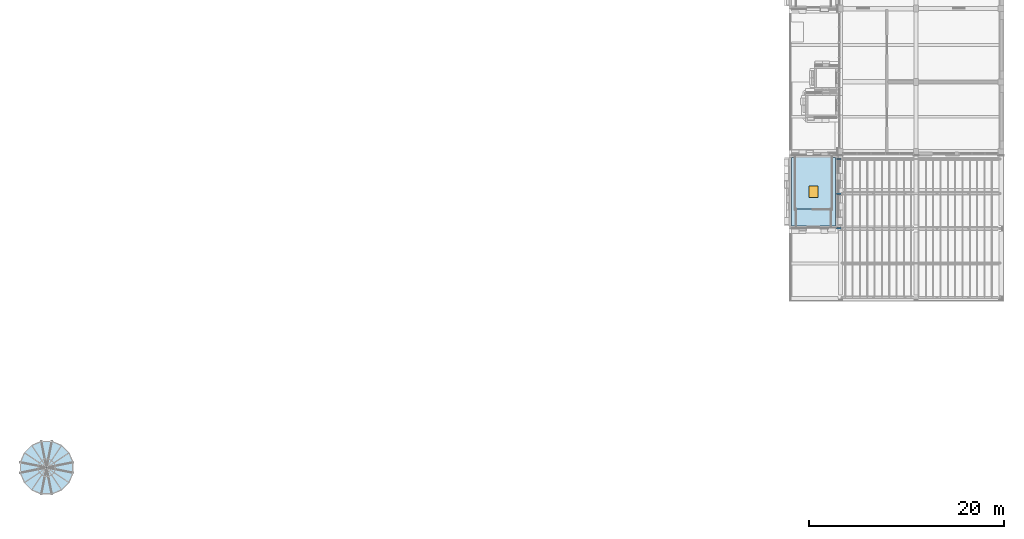
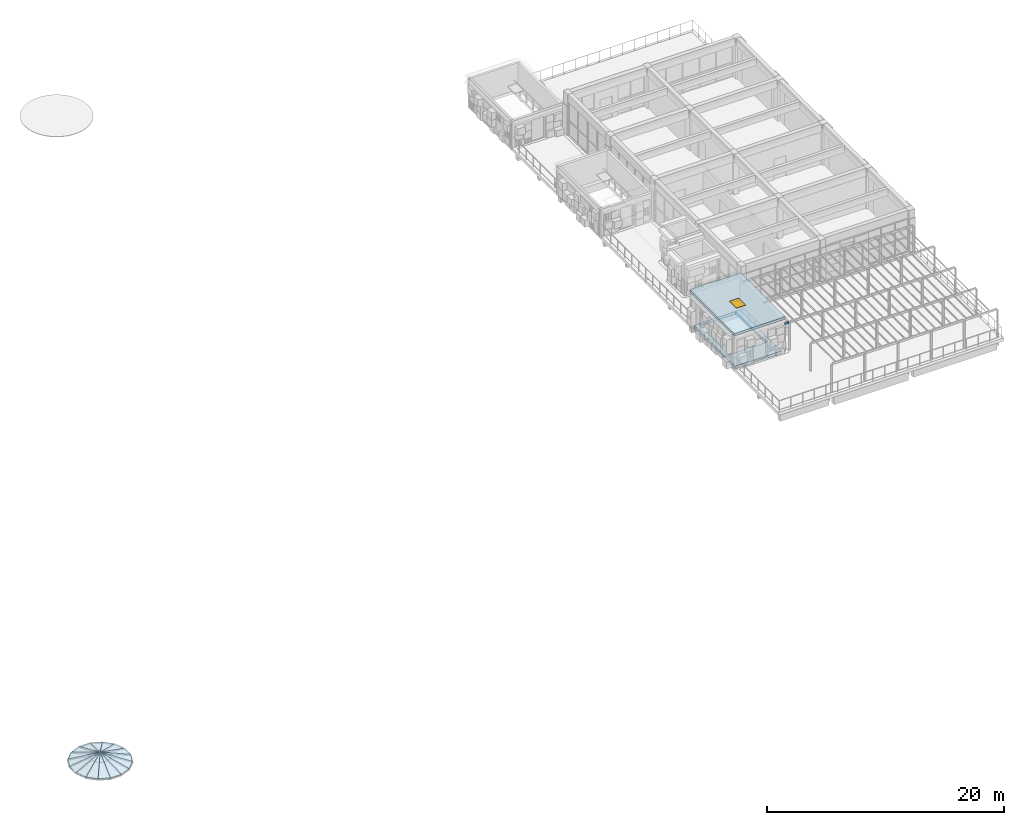
# One storey, part 15 of 26: 18 slabs, 3 beams, 1 window, 1 opening.
"""IFC4 building model written with IfcOpenShell, lengths in metres."""

from ifc_helpers import new_model, si_unit, direction, frame, origin, origin_2d, place, context, subcontext, project, spatial, polyline, rectangle, hollow_rectangle, outline, extrude, material, layer, layer_set, material_profile, profile_set, type_object, element, fill, save


model = new_model("IFC4")

# Units and contexts
model_context = context("Model", 3, precision=1e-05, world=origin(), true_north=direction((0.0, 1.0)))
body_context = subcontext(model_context, "Body", "Model", "MODEL_VIEW")
ifc_project = project(units=[si_unit("LENGTHUNIT", "METRE"), si_unit("AREAUNIT", "SQUARE_METRE"), si_unit("VOLUMEUNIT", "CUBIC_METRE"), si_unit("PLANEANGLEUNIT", "RADIAN"), si_unit("MASSUNIT", "GRAM", prefix="KILO")], contexts=[model_context])

# Site, building, storey
site_placement = place(None, origin())
site = spatial("IfcSite", under=ifc_project, at=site_placement, CompositionType="ELEMENT")
building_placement = place(site_placement, origin())
building = spatial("IfcBuilding", under=site, at=building_placement, Name="Sun Court Science Centre", CompositionType="ELEMENT")
storey_placement = place(building_placement, frame((0.0, 0.0, 29.25)))
storey = spatial("IfcBuildingStorey", under=building, at=storey_placement, Name="L06", CompositionType="ELEMENT", Elevation=29.25)

# Beams
ifc_material_1 = material(Name="Steel S275", Category="steel")
ifc_material_profile = material_profile(ifc_material_1, hollow_rectangle(XDim=0.10009765625, YDim=0.199951171875, WallThickness=0.008056640625, InnerFilletRadius=0.008056640625, OuterFilletRadius=0.011962890625, at=origin_2d()), Name="RHS 200x100x8")
ifc_profile_set = profile_set([ifc_material_profile], Name="Steel S275")
beam_type = type_object("IfcBeamType", Name="Steel beam RHS 200x100x8", PredefinedType="BEAM", material=ifc_profile_set)
for number, where, z_axis, x_axis, name in (
    (1, (86.89990234375, 36.0, 2.89990234375), (1.0, 0.0, 0.0), (0.0, 1.0, 0.0), "Pergola beam 3"),
    (2, (86.89990234375, 39.550048828125, 2.89990234375), (1.0, 0.0, 0.0), (0.0, 1.0, 0.0), "Pergola beam 4"),
    (3, (86.89990234375, 43.10009765625, 2.89990234375), (1.0, 0.0, 0.0), (0.0, 1.0, 0.0), "Pergola beam 5"),
):
    element("IfcBeam", number, at=place(storey_placement, frame(where, z_axis=z_axis, x_axis=x_axis)), inside=storey, type_object=beam_type, Name=name, PredefinedType="BEAM", context=body_context, shape_type="SweptSolid", body=[
        extrude(hollow_rectangle(XDim=0.10009765625, YDim=0.199951171875, WallThickness=0.008056640625, InnerFilletRadius=0.008056640625, OuterFilletRadius=0.011962890625, at=origin_2d()), origin(), (0.0, 0.0, 1.0), 0.425048828125),
    ])

# Slabs
ifc_material_2 = material(Name="Toughened safety glass", Category="glass")
ifc_layer_1 = layer(ifc_material_2, 0.06005859375)
ifc_layer_set_1 = layer_set([ifc_layer_1], Name="Toughened safety glass")
slab_type_1 = type_object("IfcSlabType", Name="Glazed lantern panel 60", PredefinedType="ROOF", material=ifc_layer_set_1)
slab_1_placement = place(storey_placement, frame((8.685546875, 12.0341796875, 1.0595703125), z_axis=(0.277804467255, 0.11502465451, 0.953726379434), x_axis=(-0.382553629487, 0.923933287942, 0.0)))
element("IfcSlab", 4, at=slab_1_placement, inside=storey, type_object=slab_type_1, Name="Smoke vent opening light cone 1 panel 01", PredefinedType="ROOF", context=body_context, shape_type="SweptSolid", body=[
    extrude(outline(polyline([(0.0, 0.0), (1.0683244772726013, -5.551115123125783e-17), (0.533819309164117, 2.8159214113232114), (0.0, 0.0)])), origin(), (0.0, 0.0, -1.0), 0.06005859375),
])
slab_2_placement = place(storey_placement, frame((8.27685546875, 13.021240234375, 1.0595703125), z_axis=(0.212607033155, 0.212607033155, 0.953727685928), x_axis=(-0.707106781187, 0.707106781187, 0.0)))
element("IfcSlab", 5, at=slab_2_placement, inside=storey, type_object=slab_type_1, Name="Lantern glazing cone 1 panel 02", PredefinedType="ROOF", context=body_context, shape_type="SweptSolid", body=[
    extrude(outline(polyline([(0.0, 0.0), (1.06860131238885, 0.0), (0.534300656194425, 2.8159602231340903), (0.0, 0.0)])), origin(), (0.0, 0.0, -1.0), 0.06005859375),
])
slab_3_placement = place(storey_placement, frame((7.521240234375, 13.77685546875, 1.0595703125), z_axis=(0.11502465451, 0.277804467255, 0.953726379434), x_axis=(-0.923933287942, 0.382553629487, 0.0)))
element("IfcSlab", 6, at=slab_3_placement, inside=storey, type_object=slab_type_1, Name="Smoke vent opening light cone 1 panel 03", PredefinedType="ROOF", context=body_context, shape_type="SweptSolid", body=[
    extrude(outline(polyline([(0.0, 0.0), (1.0683244772726013, 5.551115123125783e-17), (0.5345051681084843, 2.8159214113232114), (0.0, 0.0)])), origin(), (0.0, 0.0, -1.0), 0.06005859375),
])
slab_4_placement = place(storey_placement, frame((6.5341796875, 14.185546875, 1.0595703125), z_axis=(0.0, 0.300683191379, 0.953724078768), x_axis=(-1.0, 0.0, 0.0)))
element("IfcSlab", 7, at=slab_4_placement, inside=storey, type_object=slab_type_1, Name="Lantern glazing cone 1 panel 04", PredefinedType="ROOF", context=body_context, shape_type="SweptSolid", body=[
    extrude(outline(polyline([(0.0, 0.0), (1.068359375, 0.0), (0.5341796875, 2.8158530698613102), (0.0, 0.0)])), origin(), (0.0, 0.0, -1.0), 0.06005859375),
])
slab_5_placement = place(storey_placement, frame((5.4658203125, 14.185546875, 1.0595703125), z_axis=(-0.11502465451, 0.277804467255, 0.953726379434), x_axis=(-0.923933287942, -0.382553629487, 0.0)))
element("IfcSlab", 8, at=slab_5_placement, inside=storey, type_object=slab_type_1, Name="Smoke vent opening light cone 1 panel 05", PredefinedType="ROOF", context=body_context, shape_type="SweptSolid", body=[
    extrude(outline(polyline([(0.0, 0.0), (1.0683244772726013, -5.551115123125783e-17), (0.533819309164117, 2.8159214113232114), (0.0, 0.0)])), origin(), (0.0, 0.0, -1.0), 0.06005859375),
])
slab_6_placement = place(storey_placement, frame((4.478759765625, 13.77685546875, 1.0595703125), z_axis=(-0.212607033155, 0.212607033155, 0.953727685928), x_axis=(-0.707106781187, -0.707106781187, 0.0)))
element("IfcSlab", 9, at=slab_6_placement, inside=storey, type_object=slab_type_1, Name="Lantern glazing cone 1 panel 06", PredefinedType="ROOF", context=body_context, shape_type="SweptSolid", body=[
    extrude(outline(polyline([(0.0, 0.0), (1.06860131238885, 0.0), (0.534300656194425, 2.8159602231340903), (0.0, 0.0)])), origin(), (0.0, 0.0, -1.0), 0.06005859375),
])
slab_7_placement = place(storey_placement, frame((3.72314453125, 13.021240234375, 1.0595703125), z_axis=(-0.277804467255, 0.11502465451, 0.953726379434), x_axis=(-0.382553629487, -0.923933287942, 0.0)))
element("IfcSlab", 10, at=slab_7_placement, inside=storey, type_object=slab_type_1, Name="Smoke vent opening light cone 1 panel 07", PredefinedType="ROOF", context=body_context, shape_type="SweptSolid", body=[
    extrude(outline(polyline([(0.0, 0.0), (1.0683244772726013, 5.551115123125783e-17), (0.5345051681084843, 2.8159214113232114), (0.0, 0.0)])), origin(), (0.0, 0.0, -1.0), 0.06005859375),
])
slab_8_placement = place(storey_placement, frame((3.314453125, 12.0341796875, 1.0595703125), z_axis=(-0.300683191379, 0.0, 0.953724078768), x_axis=(0.0, -1.0, 0.0)))
element("IfcSlab", 11, at=slab_8_placement, inside=storey, type_object=slab_type_1, Name="Lantern glazing cone 1 panel 08", PredefinedType="ROOF", context=body_context, shape_type="SweptSolid", body=[
    extrude(outline(polyline([(0.0, 0.0), (1.068359375, 0.0), (0.5341796875, 2.8158530698613102), (0.0, 0.0)])), origin(), (0.0, 0.0, -1.0), 0.06005859375),
])
slab_9_placement = place(storey_placement, frame((3.314453125, 10.9658203125, 1.0595703125), z_axis=(-0.277804467255, -0.11502465451, 0.953726379434), x_axis=(0.382553629487, -0.923933287942, 0.0)))
element("IfcSlab", 12, at=slab_9_placement, inside=storey, type_object=slab_type_1, Name="Smoke vent opening light cone 1 panel 09", PredefinedType="ROOF", context=body_context, shape_type="SweptSolid", body=[
    extrude(outline(polyline([(0.0, 0.0), (1.0683244772726013, -5.551115123125783e-17), (0.533819309164117, 2.8159214113232114), (0.0, 0.0)])), origin(), (0.0, 0.0, -1.0), 0.06005859375),
])
slab_10_placement = place(storey_placement, frame((3.72314453125, 9.978759765625, 1.0595703125), z_axis=(-0.212607033155, -0.212607033155, 0.953727685928), x_axis=(0.707106781187, -0.707106781187, 0.0)))
element("IfcSlab", 13, at=slab_10_placement, inside=storey, type_object=slab_type_1, Name="Lantern glazing cone 1 panel 10", PredefinedType="ROOF", context=body_context, shape_type="SweptSolid", body=[
    extrude(outline(polyline([(0.0, 0.0), (1.06860131238885, 0.0), (0.534300656194425, 2.8159602231340903), (0.0, 0.0)])), origin(), (0.0, 0.0, -1.0), 0.06005859375),
])
slab_11_placement = place(storey_placement, frame((4.478759765625, 9.22314453125, 1.0595703125), z_axis=(-0.11502465451, -0.277804467255, 0.953726379434), x_axis=(0.923933287942, -0.382553629487, 0.0)))
element("IfcSlab", 14, at=slab_11_placement, inside=storey, type_object=slab_type_1, Name="Smoke vent opening light cone 1 panel 11", PredefinedType="ROOF", context=body_context, shape_type="SweptSolid", body=[
    extrude(outline(polyline([(0.0, 0.0), (1.0683244772726013, 5.551115123125783e-17), (0.5345051681084843, 2.8159214113232114), (0.0, 0.0)])), origin(), (0.0, 0.0, -1.0), 0.06005859375),
])
slab_12_placement = place(storey_placement, frame((5.4658203125, 8.814453125, 1.0595703125), z_axis=(0.0, -0.300683191379, 0.953724078768), x_axis=(1.0, 0.0, 0.0)))
element("IfcSlab", 15, at=slab_12_placement, inside=storey, type_object=slab_type_1, Name="Lantern glazing cone 1 panel 12", PredefinedType="ROOF", context=body_context, shape_type="SweptSolid", body=[
    extrude(outline(polyline([(0.0, 0.0), (1.068359375, 0.0), (0.5341796875, 2.8158530698613102), (0.0, 0.0)])), origin(), (0.0, 0.0, -1.0), 0.06005859375),
])
slab_13_placement = place(storey_placement, frame((6.5341796875, 8.814453125, 1.0595703125), z_axis=(0.11502465451, -0.277804467255, 0.953726379434), x_axis=(0.923933287942, 0.382553629487, 0.0)))
element("IfcSlab", 16, at=slab_13_placement, inside=storey, type_object=slab_type_1, Name="Smoke vent opening light cone 1 panel 13", PredefinedType="ROOF", context=body_context, shape_type="SweptSolid", body=[
    extrude(outline(polyline([(0.0, 0.0), (1.0683244772726013, -5.551115123125783e-17), (0.533819309164117, 2.8159214113232114), (0.0, 0.0)])), origin(), (0.0, 0.0, -1.0), 0.06005859375),
])
slab_14_placement = place(storey_placement, frame((7.521240234375, 9.22314453125, 1.0595703125), z_axis=(0.212607033155, -0.212607033155, 0.953727685928), x_axis=(0.707106781187, 0.707106781187, 0.0)))
element("IfcSlab", 17, at=slab_14_placement, inside=storey, type_object=slab_type_1, Name="Lantern glazing cone 1 panel 14", PredefinedType="ROOF", context=body_context, shape_type="SweptSolid", body=[
    extrude(outline(polyline([(0.0, 0.0), (1.06860131238885, 0.0), (0.534300656194425, 2.8159602231340903), (0.0, 0.0)])), origin(), (0.0, 0.0, -1.0), 0.06005859375),
])
slab_15_placement = place(storey_placement, frame((8.27685546875, 9.978759765625, 1.0595703125), z_axis=(0.277804467255, -0.11502465451, 0.953726379434), x_axis=(0.382553629487, 0.923933287942, 0.0)))
element("IfcSlab", 18, at=slab_15_placement, inside=storey, type_object=slab_type_1, Name="Smoke vent opening light cone 1 panel 15", PredefinedType="ROOF", context=body_context, shape_type="SweptSolid", body=[
    extrude(outline(polyline([(0.0, 0.0), (1.0683244772726013, 5.551115123125783e-17), (0.5345051681084843, 2.8159214113232114), (0.0, 0.0)])), origin(), (0.0, 0.0, -1.0), 0.06005859375),
])
slab_16_placement = place(storey_placement, frame((8.685546875, 10.9658203125, 1.0595703125), z_axis=(0.300683191379, 0.0, 0.953724078768), x_axis=(0.0, 1.0, 0.0)))
element("IfcSlab", 19, at=slab_16_placement, inside=storey, type_object=slab_type_1, Name="Lantern glazing cone 1 panel 16", PredefinedType="ROOF", context=body_context, shape_type="SweptSolid", body=[
    extrude(outline(polyline([(0.0, 0.0), (1.068359375, 0.0), (0.5341796875, 2.8158530698613102), (0.0, 0.0)])), origin(), (0.0, 0.0, -1.0), 0.06005859375),
])
ifc_material_3 = material(Name="Concrete C25/30", Category="concrete")
ifc_layer_2 = layer(ifc_material_3, 0.300048828125)
ifc_layer_set_2 = layer_set([ifc_layer_2], Name="Concrete C25/30")
slab_type_2 = type_object("IfcSlabType", Name="RC floor slab 300", PredefinedType="FLOOR", material=ifc_layer_set_2)
slab_17_placement = place(storey_placement, frame((0.0, 0.0, -0.300048828125)))
element("IfcSlab", 20, at=slab_17_placement, inside=storey, type_object=slab_type_2, Name="Stair SL2 landing slab L06", PredefinedType="FLOOR", context=body_context, shape_type="SweptSolid", body=[
    extrude(outline(polyline([(82.25, 43.25), (82.25, 36.25), (86.75, 36.25), (86.75, 43.25), (82.25, 43.25)]), holes=[polyline([(86.322998046875, 43.2451171875), (86.322998046875, 38.0029296875), (82.677001953125, 38.0029296875), (82.677001953125, 43.2451171875), (86.322998046875, 43.2451171875)])]), origin(), (0.0, 0.0, 1.0), 0.300048828125),
])

# Slab, opening, window
ifc_material_4 = material(Name="Concrete C25/30", Category="concrete")
ifc_layer_3 = layer(ifc_material_4, 0.25)
ifc_layer_set_3 = layer_set([ifc_layer_3], Name="Concrete C25/30")
slab_type_3 = type_object("IfcSlabType", Name="RC head-house roof 250", PredefinedType="ROOF", material=ifc_layer_set_3)
slab_18_placement = place(storey_placement, frame((0.0, 0.0, 3.35009765625)))
slab_18 = element("IfcSlab", 21, at=slab_18_placement, inside=storey, type_object=slab_type_3, Name="Roof of core SL2", PredefinedType="ROOF", context=body_context, shape_type="SweptSolid", body=[
    extrude(outline(polyline([(82.0, 36.0), (87.0, 36.0), (87.0, 43.5), (82.0, 43.5), (82.0, 36.0)])), origin(), (0.0, 0.0, 1.0), 0.25),
])
opening_placement = place(slab_18_placement, frame((84.5, 39.75, -0.010009765625)))
opening = element("IfcOpeningElement", 22, at=opening_placement, cuts=slab_18, Name="Opening WN-L06-002", PredefinedType="OPENING", context=body_context, shape_type="SweptSolid", body=[
    extrude(rectangle(XDim=0.89990234375, YDim=1.199951171875, at=origin_2d()), origin(), (0.0, 0.0, 1.0), 0.27001953125),
])
ifc_material_5 = material(Name="Aluminium frame, 6-12-6 glazing", Category="aluminium")
window_type = type_object("IfcWindowType", Name="Roof smoke vent 900 x 1200", PartitioningType="SINGLE_PANEL", PredefinedType="SKYLIGHT", material=ifc_material_5)
window_placement = place(opening_placement, frame((0.0, 0.0, 0.2099609375)))
window = element("IfcWindow", 23, at=window_placement, inside=storey, type_object=window_type, Name="Smoke vent head of stair SL2", OverallHeight=1.199951171875, OverallWidth=0.89990234375, PartitioningType="SINGLE_PANEL", PredefinedType="SKYLIGHT", context=body_context, shape_type="SweptSolid", body=[
    extrude(rectangle(XDim=0.89990234375, YDim=1.199951171875, at=origin_2d()), origin(), (0.0, 0.0, 1.0), 0.050048828125),
])
fill(opening, window)

save(model, "model.ifc")
